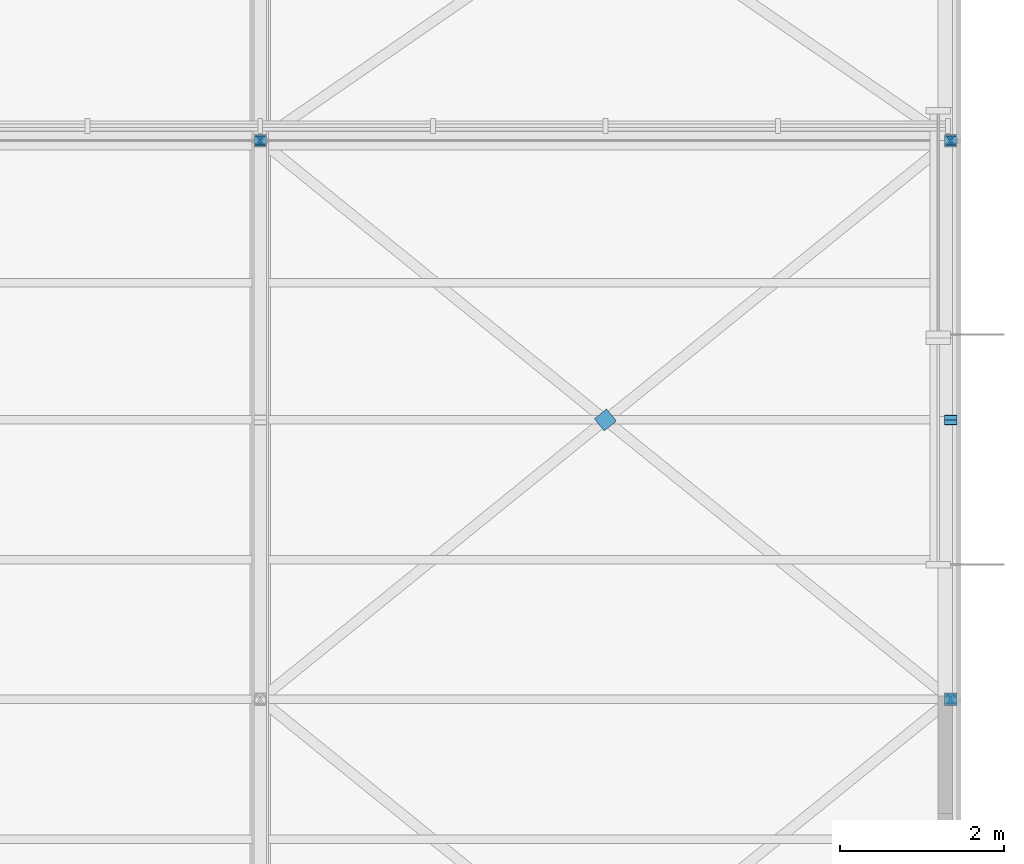
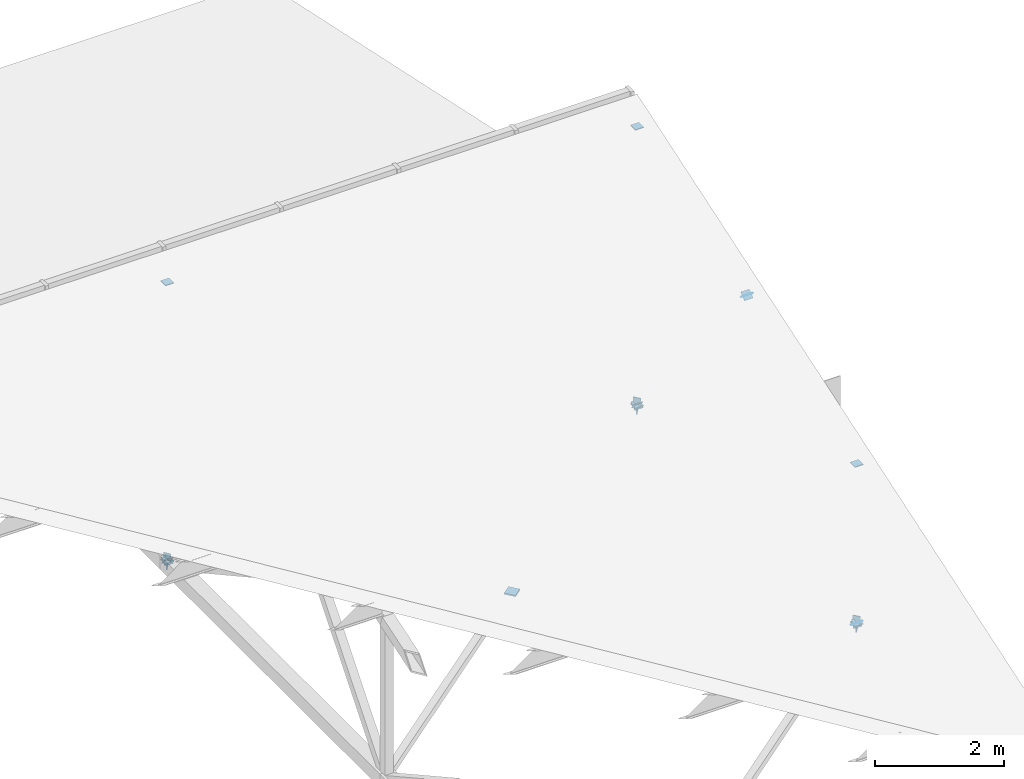
# One storey, part 69 of 89: 21 discrete accessories.
"""IFC4 building model written with IfcOpenShell, lengths in metres."""

import ifcopenshell
import ifcopenshell.guid

model = None  # the IFC model being written
_history = None  # IfcOwnerHistory: only IFC2X3 demands one
_inside = {}  # id of a spatial element -> (the spatial element, [elements in it])
_under = {}  # id of a project, library or spatial element -> (it, [spatial elements below it])
_declared = {}  # id of a project -> (the project, [libraries it declares])
_typed = {}  # id of a type object -> (the type object, [elements of that type])
_made_of = {}  # id of a material, layer set ... -> (it, [elements and type objects made of it])


def new_model(schema):
    """Start an empty IFC model of exactly this schema.

    Asked for "IFC4X3", IfcOpenShell would pick the latest addendum, in which some entities
    have other attributes; the version numbers below select the first issue.
    IFC2X3 requires an IfcOwnerHistory on every rooted entity: one is made here for all.
    """
    global model, _history
    if schema == "IFC4X3":
        model = ifcopenshell.file(schema_version=(4, 3, 0, 0))
    else:
        model = ifcopenshell.file(schema=schema)
    _inside.clear()
    _under.clear()
    _declared.clear()
    _typed.clear()
    _made_of.clear()
    _history = None
    if model.schema == "IFC2X3":
        org = make("IfcOrganization", Name="unknown")
        user = make(
            "IfcPersonAndOrganization",
            ThePerson=make("IfcPerson", FamilyName="unknown"),
            TheOrganization=org,
        )
        app = make(
            "IfcApplication",
            ApplicationDeveloper=org,
            Version="unknown",
            ApplicationFullName="unknown",
            ApplicationIdentifier="unknown",
        )
        _history = make(
            "IfcOwnerHistory",
            OwningUser=user,
            OwningApplication=app,
            ChangeAction="ADDED",
            CreationDate=0,
        )
    return model


def make(cls, **values):
    """One entity of the class cls with the attributes given. An attribute that is None is left unset."""
    return model.create_entity(
        cls, **{name: value for name, value in values.items() if value is not None}
    )


def rooted(cls, **values):
    """An entity with a GlobalId (a new one), such as an element, a storey or a relation."""
    return make(cls, GlobalId=ifcopenshell.guid.new(), OwnerHistory=_history, **values)


def si_unit(unit_type, name, prefix=None):
    """IfcSIUnit, for example si_unit("LENGTHUNIT", "METRE", prefix="MILLI")."""
    return make("IfcSIUnit", UnitType=unit_type, Prefix=prefix, Name=name)


def assignment(units):
    """IfcUnitAssignment: the units of a project."""
    return None if units is None else make("IfcUnitAssignment", Units=units)


def point(xyz):
    """IfcCartesianPoint."""
    return None if xyz is None else make("IfcCartesianPoint", Coordinates=xyz)


def direction(xyz):
    """IfcDirection."""
    return None if xyz is None else make("IfcDirection", DirectionRatios=xyz)


def frame(location, z_axis=None, x_axis=None):
    """IfcAxis2Placement3D, a coordinate frame: its origin and axes. An axis left out is left unset."""
    return make(
        "IfcAxis2Placement3D",
        Location=point(location),
        Axis=direction(z_axis),
        RefDirection=direction(x_axis),
    )


def frame_2d(location, x_axis=None):
    """IfcAxis2Placement2D, a coordinate frame in the plane: its origin and x axis."""
    return make(
        "IfcAxis2Placement2D", Location=point(location), RefDirection=direction(x_axis)
    )


def origin():
    """The frame at (0, 0, 0) with its axes left unset."""
    return frame((0.0, 0.0, 0.0))


def origin_2d():
    """The frame at (0, 0) in the plane with its x axis left unset."""
    return frame_2d((0.0, 0.0))


def place(relative_to, where):
    """IfcLocalPlacement: puts the frame where relative to a parent placement (None: the world)."""
    return make(
        "IfcLocalPlacement", PlacementRelTo=relative_to, RelativePlacement=where
    )


def context(
    kind, dimensions, precision=None, world=None, true_north=None, identifier=None
):
    """IfcGeometricRepresentationContext, for example the 3D "Model" context."""
    return make(
        "IfcGeometricRepresentationContext",
        ContextIdentifier=identifier,
        ContextType=kind,
        CoordinateSpaceDimension=dimensions,
        Precision=precision,
        WorldCoordinateSystem=world,
        TrueNorth=true_north,
    )


def subcontext(parent, identifier, kind, view, scale=None):
    """IfcGeometricRepresentationSubContext, for example "Body" below "Model"."""
    return make(
        "IfcGeometricRepresentationSubContext",
        ContextIdentifier=identifier,
        ContextType=kind,
        ParentContext=parent,
        TargetScale=scale,
        TargetView=view,
    )


def project(units=None, contexts=None):
    """IfcProject with its units and contexts."""
    return rooted(
        "IfcProject",
        Name="project",
        RepresentationContexts=contexts,
        UnitsInContext=assignment(units),
    )


def spatial(cls, under=None, at=None, **own):
    """A site, building, storey or space (cls), placed at a placement, below another one or the project."""
    s = rooted(cls, ObjectPlacement=at, **own)
    if under is not None:
        _under.setdefault(under.id(), (under, []))[1].append(s)
    return s


def profile(cls, at=None, kind="AREA", **sizes):
    """A parametric profile (cls). Its sizes go by their IFC names, for example OverallWidth=200.0."""
    return make(cls, ProfileType=kind, Position=at, **sizes)


def rectangle(**sizes):
    """IfcRectangleProfileDef."""
    return profile("IfcRectangleProfileDef", **sizes)


def extrude(swept, where, along, depth):
    """IfcExtrudedAreaSolid: the profile swept, set in the frame where, extruded along a direction by depth."""
    return make(
        "IfcExtrudedAreaSolid",
        SweptArea=swept,
        Position=where,
        ExtrudedDirection=direction(along),
        Depth=depth,
    )


def shape(context_of_items, identifier, shape_type, items):
    """IfcShapeRepresentation: the items that make up one representation, for example the "Body"."""
    return make(
        "IfcShapeRepresentation",
        ContextOfItems=context_of_items,
        RepresentationIdentifier=identifier,
        RepresentationType=shape_type,
        Items=items,
    )


def material(Name=None, Category=None):
    """IfcMaterial."""
    return make("IfcMaterial", Name=Name, Category=Category)


def made_of(thing, what):
    """Note that an element or type object is made of a material, layer set ...; save() writes the relation."""
    if what is not None:
        _made_of.setdefault(what.id(), (what, []))[1].append(thing)
    return thing


def element(
    cls,
    number,
    at=None,
    inside=None,
    cuts=None,
    type_object=None,
    material=None,
    context=None,
    identifier="Body",
    shape_type=None,
    held_by="IfcProductDefinitionShape",
    body=None,
    shapes=None,
    **own,
):
    """One element of the class cls, such as IfcWall. Its Tag is "e" and its number.

    at: its placement. inside: the storey or other place that contains it. cuts: it is an
    opening in that element (IfcRelVoidsElement). A single representation is given by context,
    identifier, shape_type and body (its items); several are given by shapes. held_by: the class
    of the entity that holds the representations. save() writes the other relations.
    """
    e = rooted(cls, Tag="e%d" % number, ObjectPlacement=at, **own)
    if body is not None:
        shapes = [shape(context, identifier, shape_type, body)]
    if shapes is not None:
        e.Representation = make(held_by, Representations=shapes)
    if inside is not None:
        _inside.setdefault(inside.id(), (inside, []))[1].append(e)
    if cuts is not None:
        rooted(
            "IfcRelVoidsElement", RelatingBuildingElement=cuts, RelatedOpeningElement=e
        )
    if type_object is not None:
        _typed.setdefault(type_object.id(), (type_object, []))[1].append(e)
    return made_of(e, material)


def aggregate(whole, parts):
    """IfcRelAggregates: a whole, such as a stair, and the parts it consists of."""
    return rooted("IfcRelAggregates", RelatingObject=whole, RelatedObjects=parts)


def save(model, path):
    """Write the relations noted so far, then the file.

    IfcRelAggregates (storeys below a building ...), IfcRelContainedInSpatialStructure (elements
    in a storey), IfcRelDefinesByType, IfcRelAssociatesMaterial and IfcRelDeclares: one each for
    every whole, place, type object, material and project.
    """
    for whole, parts in _under.values():
        aggregate(whole, parts)
    for where, things in _inside.values():
        rooted(
            "IfcRelContainedInSpatialStructure",
            RelatedElements=things,
            RelatingStructure=where,
        )
    for kind, things in _typed.values():
        rooted("IfcRelDefinesByType", RelatedObjects=things, RelatingType=kind)
    for what, things in _made_of.values():
        rooted("IfcRelAssociatesMaterial", RelatedObjects=things, RelatingMaterial=what)
    for by, libraries in _declared.values():
        rooted("IfcRelDeclares", RelatingContext=by, RelatedDefinitions=libraries)
    model.write(path)


model = new_model("IFC4")

# Units and contexts
model_context = context("Model", 3, precision=1e-05, world=origin(), true_north=direction((0.0, 1.0)))
body_context = subcontext(model_context, "Body", "Model", "MODEL_VIEW")
ifc_project = project(units=[si_unit("LENGTHUNIT", "METRE"), si_unit("AREAUNIT", "SQUARE_METRE"), si_unit("VOLUMEUNIT", "CUBIC_METRE"), si_unit("PLANEANGLEUNIT", "RADIAN"), si_unit("MASSUNIT", "GRAM", prefix="KILO")], contexts=[model_context])

# Site, building, storey
site_placement = place(None, origin())
site = spatial("IfcSite", under=ifc_project, at=site_placement, CompositionType="ELEMENT")
building_placement = place(site_placement, origin())
building = spatial("IfcBuilding", under=site, at=building_placement, Name="Hlaing Beacon Police Headquarters", CompositionType="ELEMENT")
storey_placement = place(building_placement, frame((0.0, 0.0, 9.89990234375)))
storey = spatial("IfcBuildingStorey", under=building, at=storey_placement, Name="L02", CompositionType="ELEMENT", Elevation=9.89990234375)

# Discrete accessories
ifc_material = material(Name="Steel ASTM A572 Grade 50", Category="steel")
for number, where, z_axis, x_axis, name in (
    (1, (126.0, 22.0, -1.36474609375), (0.0, 0.0, -1.0), (1.0, 0.0, 0.0), "Gusset plate GP-627"),
    (2, (126.0, 22.0, 3.880859375), (0.0, 0.0, 1.0), (1.0, 0.0, 0.0), "Gusset plate GP-628"),
):
    element("IfcDiscreteAccessory", number, at=place(storey_placement, frame(where, z_axis=z_axis, x_axis=x_axis)), inside=storey, material=ifc_material, Name=name, PredefinedType="BRACKET", context=body_context, shape_type="SweptSolid", body=[
        extrude(rectangle(XDim=0.15234375, YDim=0.15234375, at=origin_2d()), origin(), (0.0, 0.0, 1.0), 0.01611328125),
    ])
for number, where, z_axis, x_axis, name in (
    (3, (126.0, 21.99609375, -1.3681640625), (0.0, 0.634949419501, -0.772553709897), (-1.0, 0.0, 0.0), "Gusset plate GP-640"),
    (4, (126.0, 22.004638671875, -1.369140625), (0.0, -0.789269916933, -0.614046413738), (1.0, 0.0, 0.0), "Gusset plate GP-641"),
):
    element("IfcDiscreteAccessory", number, at=place(storey_placement, frame(where, z_axis=z_axis, x_axis=x_axis)), inside=storey, material=ifc_material, Name=name, PredefinedType="BRACKET", context=body_context, shape_type="SweptSolid", body=[
        extrude(rectangle(XDim=0.15234375, YDim=0.15234375, at=origin_2d()), origin(), (0.0, 0.0, 1.0), 0.011962890625),
    ])
for number, where, z_axis, x_axis, name in (
    (5, (134.39990234375, 15.199951171875, -1.36474609375), (0.0, 0.0, -1.0), (1.0, 0.0, 0.0), "Gusset plate GP-651"),
    (6, (134.39990234375, 15.199951171875, 1.630859375), (0.0, 0.0, 1.0), (1.0, 0.0, 0.0), "Gusset plate GP-652"),
    (7, (134.39990234375, 22.0, -1.36474609375), (0.0, 0.0, -1.0), (1.0, 0.0, 0.0), "Gusset plate GP-653"),
    (8, (134.39990234375, 22.0, 3.880859375), (0.0, 0.0, 1.0), (1.0, 0.0, 0.0), "Gusset plate GP-654"),
):
    element("IfcDiscreteAccessory", number, at=place(storey_placement, frame(where, z_axis=z_axis, x_axis=x_axis)), inside=storey, material=ifc_material, Name=name, PredefinedType="BRACKET", context=body_context, shape_type="SweptSolid", body=[
        extrude(rectangle(XDim=0.15234375, YDim=0.15234375, at=origin_2d()), origin(), (0.0, 0.0, 1.0), 0.01611328125),
    ])
for number, where, z_axis, x_axis, name in (
    (9, (134.39990234375, 15.19482421875, -1.369873046875), (0.0, 0.874388190335, -0.485227052629), (-1.0, 0.0, 0.0), "Gusset plate GP-662"),
    (10, (134.39990234375, 15.203857421875, -1.3681640625), (0.0, -0.634976630923, -0.772531344465), (1.0, 0.0, 0.0), "Gusset plate GP-663"),
    (11, (134.39990234375, 18.59619140625, 2.75927734375), (0.0, 0.634976630923, 0.772531344465), (-1.0, 0.0, 0.0), "Gusset plate GP-664"),
    (12, (134.39990234375, 18.60400390625, 2.75927734375), (0.0, -0.634949419501, 0.772553709897), (1.0, 0.0, 0.0), "Gusset plate GP-665"),
    (13, (134.39990234375, 21.99609375, -1.3681640625), (0.0, 0.634949419501, -0.772553709897), (-1.0, 0.0, 0.0), "Gusset plate GP-666"),
    (14, (134.39990234375, 22.004638671875, -1.369140625), (0.0, -0.789269916933, -0.614046413738), (1.0, 0.0, 0.0), "Gusset plate GP-667"),
):
    element("IfcDiscreteAccessory", number, at=place(storey_placement, frame(where, z_axis=z_axis, x_axis=x_axis)), inside=storey, material=ifc_material, Name=name, PredefinedType="BRACKET", context=body_context, shape_type="SweptSolid", body=[
        extrude(rectangle(XDim=0.15234375, YDim=0.15234375, at=origin_2d()), origin(), (0.0, 0.0, 1.0), 0.011962890625),
    ])
for number, where, z_axis, x_axis, name in (
    (15, (134.395263671875, 15.1962890625, -1.29931640625), (0.777239083865, 0.629205377053, 0.0), (-0.629205377053, 0.777239083865, 0.0), "Gusset plate GP-692"),
    (16, (134.395263671875, 21.996337890625, -1.29931640625), (0.777239083865, 0.629205377053, 0.0), (-0.629205377053, 0.777239083865, 0.0), "Gusset plate GP-696"),
    (17, (134.395263671875, 15.20361328125, -1.4462890625), (0.777239083865, -0.629205377053, 0.0), (0.629205377053, 0.777239083865, 0.0), "Gusset plate GP-697"),
    (18, (126.004638671875, 21.996337890625, -1.4462890625), (-0.777239083865, 0.629205377053, 0.0), (-0.629205377053, -0.777239083865, 0.0), "Gusset plate GP-698"),
    (19, (126.0048828125, 22.00341796875, -1.29931640625), (-0.822891575455, -0.568198429288, 0.0), (0.568198429288, -0.822891575455, 0.0), "Gusset plate GP-699"),
    (20, (134.39501953125, 22.00341796875, -1.4462890625), (0.822891575455, -0.568198429288, 0.0), (0.568198429288, 0.822891575455, 0.0), "Gusset plate GP-701"),
):
    element("IfcDiscreteAccessory", number, at=place(storey_placement, frame(where, z_axis=z_axis, x_axis=x_axis)), inside=storey, material=ifc_material, Name=name, PredefinedType="BRACKET", context=body_context, shape_type="SweptSolid", body=[
        extrude(rectangle(XDim=0.126953125, YDim=0.126953125, at=origin_2d()), origin(), (0.0, 0.0, 1.0), 0.011962890625),
    ])
discrete_accessory_placement = place(storey_placement, frame((130.199951171875, 18.60009765625, -1.385986328125), z_axis=(0.0, 0.0, 1.0), x_axis=(0.777244870707, 0.629198228668, 0.0)))
element("IfcDiscreteAccessory", 21, at=discrete_accessory_placement, inside=storey, material=ifc_material, Name="Node plate NP-022", PredefinedType="BRACKET", context=body_context, shape_type="SweptSolid", body=[
    extrude(rectangle(XDim=0.1904296875, YDim=0.1904296875, at=origin_2d()), origin(), (0.0, 0.0, 1.0), 0.02587890625),
])

save(model, "model.ifc")
